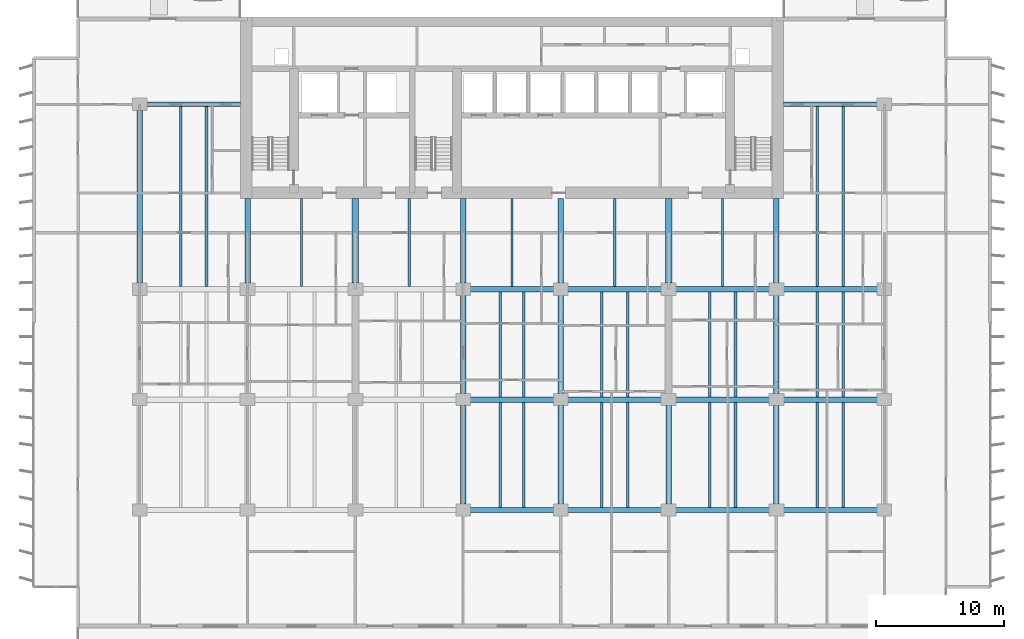
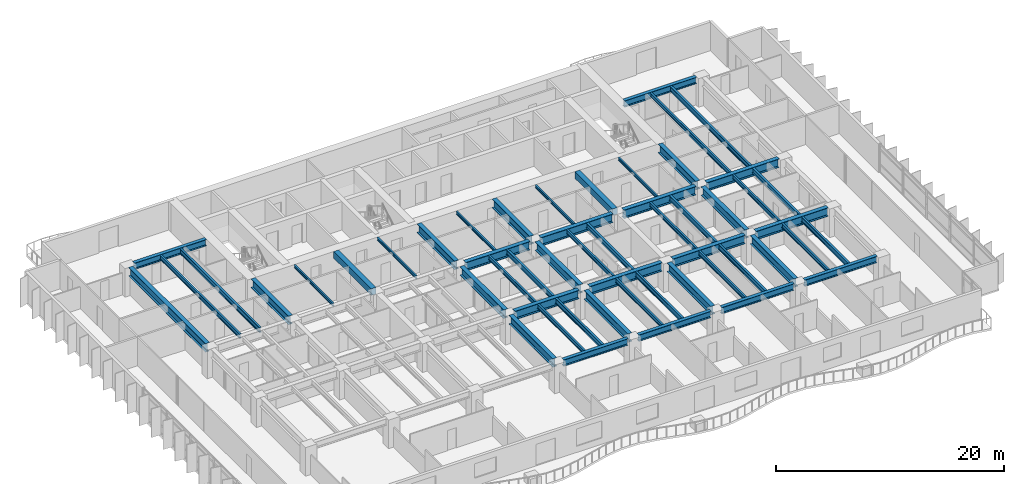
# One storey, part 3 of 17: 53 beams.
"""IFC4 building model written with IfcOpenShell, lengths in metres."""

from ifc_helpers import new_model, si_unit, direction, frame, origin, origin_2d, place, context, subcontext, project, spatial, rectangle, i_section, extrude, material, material_profile, profile_set, type_object, element, save


model = new_model("IFC4")

# Units and contexts
model_context = context("Model", 3, precision=1e-05, world=origin(), true_north=direction((0.0, 1.0)))
body_context = subcontext(model_context, "Body", "Model", "MODEL_VIEW")
ifc_project = project(units=[si_unit("LENGTHUNIT", "METRE"), si_unit("AREAUNIT", "SQUARE_METRE"), si_unit("VOLUMEUNIT", "CUBIC_METRE"), si_unit("PLANEANGLEUNIT", "RADIAN"), si_unit("MASSUNIT", "GRAM", prefix="KILO")], contexts=[model_context])

# Site, building, storey
site_placement = place(None, origin())
site = spatial("IfcSite", under=ifc_project, at=site_placement, CompositionType="ELEMENT")
building_placement = place(site_placement, origin())
building = spatial("IfcBuilding", under=site, at=building_placement, Name="Caelmar Bay Residences", CompositionType="ELEMENT")
storey_placement = place(building_placement, frame((0.0, 0.0, 59.699951171875)))
storey = spatial("IfcBuildingStorey", under=building, at=storey_placement, Name="L15", CompositionType="ELEMENT", Elevation=59.699951171875)

# Beams
ifc_material_1 = material(Name="Steel ASTM A992 Grade 50", Category="steel")
ifc_material_profile_1 = material_profile(ifc_material_1, i_section(OverallWidth=0.422119140625, OverallDepth=0.925048828125, WebThickness=0.021240234375, FlangeThickness=0.03662109375, FilletRadius=0.020263671875, at=origin_2d()), Name="W36X262")
ifc_profile_set_1 = profile_set([ifc_material_profile_1], Name="Steel ASTM A992 Grade 50")
beam_type_1 = type_object("IfcBeamType", Name="BM-GRD-W36X262", PredefinedType="BEAM", material=ifc_profile_set_1)
beam_1_placement = place(storey_placement, frame((35.639892578125, 20.800048828125, 2.587646484375), z_axis=(1.0, 0.0, 0.0), x_axis=(0.0, 1.0, 0.0)))
element("IfcBeam", 1, at=beam_1_placement, inside=storey, type_object=beam_type_1, Name="L15 East-West Girder Y=20.80 (35.1-42.7)", PredefinedType="BEAM", context=body_context, shape_type="SweptSolid", body=[
    extrude(i_section(OverallWidth=0.422119140625, OverallDepth=0.925048828125, WebThickness=0.021240234375, FlangeThickness=0.03662109375, FilletRadius=0.020263671875, at=origin_2d()), origin(), (0.0, 0.0, 1.0), 6.52001953125),
])
for number, where, z_axis, x_axis, name in (
    (2, (43.239990234375, 20.800048828125, 2.587646484375), (1.0, 0.0, 0.0), (0.0, 1.0, 0.0), "L15 East-West Girder Y=20.80 (42.7-51.1)"),
    (3, (51.639892578125, 20.800048828125, 2.587646484375), (1.0, 0.0, 0.0), (0.0, 1.0, 0.0), "L15 East-West Girder Y=20.80 (51.1-59.5)"),
    (4, (60.0400390625, 20.800048828125, 2.587646484375), (1.0, 0.0, 0.0), (0.0, 1.0, 0.0), "L15 East-West Girder Y=20.80 (59.5-67.9)"),
):
    element("IfcBeam", number, at=place(storey_placement, frame(where, z_axis=z_axis, x_axis=x_axis)), inside=storey, type_object=beam_type_1, Name=name, PredefinedType="BEAM", context=body_context, shape_type="SweptSolid", body=[
        extrude(i_section(OverallWidth=0.422119140625, OverallDepth=0.925048828125, WebThickness=0.021240234375, FlangeThickness=0.03662109375, FilletRadius=0.020263671875, at=origin_2d()), origin(), (0.0, 0.0, 1.0), 7.320068359375),
    ])
beam_2_placement = place(storey_placement, frame((35.639892578125, 29.39990234375, 2.587646484375), z_axis=(1.0, 0.0, 0.0), x_axis=(0.0, 1.0, 0.0)))
element("IfcBeam", 5, at=beam_2_placement, inside=storey, type_object=beam_type_1, Name="L15 East-West Girder Y=29.40 (35.1-42.7)", PredefinedType="BEAM", context=body_context, shape_type="SweptSolid", body=[
    extrude(i_section(OverallWidth=0.422119140625, OverallDepth=0.925048828125, WebThickness=0.021240234375, FlangeThickness=0.03662109375, FilletRadius=0.020263671875, at=origin_2d()), origin(), (0.0, 0.0, 1.0), 6.52001953125),
])
for number, where, z_axis, x_axis, name in (
    (6, (43.239990234375, 29.39990234375, 2.587646484375), (1.0, 0.0, 0.0), (0.0, 1.0, 0.0), "L15 East-West Girder Y=29.40 (42.7-51.1)"),
    (7, (51.639892578125, 29.39990234375, 2.587646484375), (1.0, 0.0, 0.0), (0.0, 1.0, 0.0), "L15 East-West Girder Y=29.40 (51.1-59.5)"),
    (8, (60.0400390625, 29.39990234375, 2.587646484375), (1.0, 0.0, 0.0), (0.0, 1.0, 0.0), "L15 East-West Girder Y=29.40 (59.5-67.9)"),
):
    element("IfcBeam", number, at=place(storey_placement, frame(where, z_axis=z_axis, x_axis=x_axis)), inside=storey, type_object=beam_type_1, Name=name, PredefinedType="BEAM", context=body_context, shape_type="SweptSolid", body=[
        extrude(i_section(OverallWidth=0.422119140625, OverallDepth=0.925048828125, WebThickness=0.021240234375, FlangeThickness=0.03662109375, FilletRadius=0.020263671875, at=origin_2d()), origin(), (0.0, 0.0, 1.0), 7.320068359375),
    ])
beam_3_placement = place(storey_placement, frame((9.89990234375, 29.864990234375, 2.587646484375), z_axis=(0.0, 1.0, 0.0), x_axis=(-1.0, 0.0, 0.0)))
element("IfcBeam", 9, at=beam_3_placement, inside=storey, type_object=beam_type_1, Name="L15 North-South Girder X=9.90 (29.4-43.8)", PredefinedType="BEAM", context=body_context, shape_type="SweptSolid", body=[
    extrude(i_section(OverallWidth=0.422119140625, OverallDepth=0.925048828125, WebThickness=0.021240234375, FlangeThickness=0.03662109375, FilletRadius=0.020263671875, at=origin_2d()), origin(), (0.0, 0.0, 1.0), 13.469970703125),
])
for number, where, z_axis, x_axis, name in (
    (10, (18.300048828125, 29.864990234375, 2.587646484375), (0.0, 1.0, 0.0), (-1.0, 0.0, 0.0), "L15 Core Tie Girder X=18.30"),
    (11, (35.10009765625, 29.864990234375, 2.587646484375), (0.0, 1.0, 0.0), (-1.0, 0.0, 0.0), "L15 Core Tie Girder X=35.10"),
):
    element("IfcBeam", number, at=place(storey_placement, frame(where, z_axis=z_axis, x_axis=x_axis)), inside=storey, type_object=beam_type_1, Name=name, PredefinedType="BEAM", context=body_context, shape_type="SweptSolid", body=[
        extrude(i_section(OverallWidth=0.422119140625, OverallDepth=0.925048828125, WebThickness=0.021240234375, FlangeThickness=0.03662109375, FilletRadius=0.020263671875, at=origin_2d()), origin(), (0.0, 0.0, 1.0), 6.5849609375),
    ])
beam_4_placement = place(storey_placement, frame((35.10009765625, 12.6650390625, 2.587646484375), z_axis=(0.0, 1.0, 0.0), x_axis=(-1.0, 0.0, 0.0)))
element("IfcBeam", 12, at=beam_4_placement, inside=storey, type_object=beam_type_1, Name="L15 North-South Girder X=35.10 (12.2-20.8)", PredefinedType="BEAM", context=body_context, shape_type="SweptSolid", body=[
    extrude(i_section(OverallWidth=0.422119140625, OverallDepth=0.925048828125, WebThickness=0.021240234375, FlangeThickness=0.03662109375, FilletRadius=0.020263671875, at=origin_2d()), origin(), (0.0, 0.0, 1.0), 7.669921875),
])
beam_5_placement = place(storey_placement, frame((35.10009765625, 21.264892578125, 2.587646484375), z_axis=(0.0, 1.0, 0.0), x_axis=(-1.0, 0.0, 0.0)))
element("IfcBeam", 13, at=beam_5_placement, inside=storey, type_object=beam_type_1, Name="L15 North-South Girder X=35.10 (20.8-29.4)", PredefinedType="BEAM", context=body_context, shape_type="SweptSolid", body=[
    extrude(i_section(OverallWidth=0.422119140625, OverallDepth=0.925048828125, WebThickness=0.021240234375, FlangeThickness=0.03662109375, FilletRadius=0.020263671875, at=origin_2d()), origin(), (0.0, 0.0, 1.0), 7.670166015625),
])
beam_6_placement = place(storey_placement, frame((42.699951171875, 29.864990234375, 2.587646484375), z_axis=(0.0, 1.0, 0.0), x_axis=(-1.0, 0.0, 0.0)))
element("IfcBeam", 14, at=beam_6_placement, inside=storey, type_object=beam_type_1, Name="L15 Core Tie Girder X=42.70", PredefinedType="BEAM", context=body_context, shape_type="SweptSolid", body=[
    extrude(i_section(OverallWidth=0.422119140625, OverallDepth=0.925048828125, WebThickness=0.021240234375, FlangeThickness=0.03662109375, FilletRadius=0.020263671875, at=origin_2d()), origin(), (0.0, 0.0, 1.0), 6.5849609375),
])
beam_7_placement = place(storey_placement, frame((42.699951171875, 12.6650390625, 2.587646484375), z_axis=(0.0, 1.0, 0.0), x_axis=(-1.0, 0.0, 0.0)))
element("IfcBeam", 15, at=beam_7_placement, inside=storey, type_object=beam_type_1, Name="L15 North-South Girder X=42.70 (12.2-20.8)", PredefinedType="BEAM", context=body_context, shape_type="SweptSolid", body=[
    extrude(i_section(OverallWidth=0.422119140625, OverallDepth=0.925048828125, WebThickness=0.021240234375, FlangeThickness=0.03662109375, FilletRadius=0.020263671875, at=origin_2d()), origin(), (0.0, 0.0, 1.0), 7.669921875),
])
beam_8_placement = place(storey_placement, frame((42.699951171875, 21.264892578125, 2.587646484375), z_axis=(0.0, 1.0, 0.0), x_axis=(-1.0, 0.0, 0.0)))
element("IfcBeam", 16, at=beam_8_placement, inside=storey, type_object=beam_type_1, Name="L15 North-South Girder X=42.70 (20.8-29.4)", PredefinedType="BEAM", context=body_context, shape_type="SweptSolid", body=[
    extrude(i_section(OverallWidth=0.422119140625, OverallDepth=0.925048828125, WebThickness=0.021240234375, FlangeThickness=0.03662109375, FilletRadius=0.020263671875, at=origin_2d()), origin(), (0.0, 0.0, 1.0), 7.670166015625),
])
beam_9_placement = place(storey_placement, frame((51.10009765625, 12.6650390625, 2.587646484375), z_axis=(0.0, 1.0, 0.0), x_axis=(-1.0, 0.0, 0.0)))
element("IfcBeam", 17, at=beam_9_placement, inside=storey, type_object=beam_type_1, Name="L15 North-South Girder X=51.10 (12.2-20.8)", PredefinedType="BEAM", context=body_context, shape_type="SweptSolid", body=[
    extrude(i_section(OverallWidth=0.422119140625, OverallDepth=0.925048828125, WebThickness=0.021240234375, FlangeThickness=0.03662109375, FilletRadius=0.020263671875, at=origin_2d()), origin(), (0.0, 0.0, 1.0), 7.669921875),
])
beam_10_placement = place(storey_placement, frame((59.5, 29.864990234375, 2.587646484375), z_axis=(0.0, 1.0, 0.0), x_axis=(-1.0, 0.0, 0.0)))
element("IfcBeam", 18, at=beam_10_placement, inside=storey, type_object=beam_type_1, Name="L15 Core Tie Girder X=59.50", PredefinedType="BEAM", context=body_context, shape_type="SweptSolid", body=[
    extrude(i_section(OverallWidth=0.422119140625, OverallDepth=0.925048828125, WebThickness=0.021240234375, FlangeThickness=0.03662109375, FilletRadius=0.020263671875, at=origin_2d()), origin(), (0.0, 0.0, 1.0), 6.5849609375),
])
beam_11_placement = place(storey_placement, frame((59.5, 12.6650390625, 2.587646484375), z_axis=(0.0, 1.0, 0.0), x_axis=(-1.0, 0.0, 0.0)))
element("IfcBeam", 19, at=beam_11_placement, inside=storey, type_object=beam_type_1, Name="L15 North-South Girder X=59.50 (12.2-20.8)", PredefinedType="BEAM", context=body_context, shape_type="SweptSolid", body=[
    extrude(i_section(OverallWidth=0.422119140625, OverallDepth=0.925048828125, WebThickness=0.021240234375, FlangeThickness=0.03662109375, FilletRadius=0.020263671875, at=origin_2d()), origin(), (0.0, 0.0, 1.0), 7.669921875),
])
beam_12_placement = place(storey_placement, frame((59.5, 21.264892578125, 2.587646484375), z_axis=(0.0, 1.0, 0.0), x_axis=(-1.0, 0.0, 0.0)))
element("IfcBeam", 20, at=beam_12_placement, inside=storey, type_object=beam_type_1, Name="L15 North-South Girder X=59.50 (20.8-29.4)", PredefinedType="BEAM", context=body_context, shape_type="SweptSolid", body=[
    extrude(i_section(OverallWidth=0.422119140625, OverallDepth=0.925048828125, WebThickness=0.021240234375, FlangeThickness=0.03662109375, FilletRadius=0.020263671875, at=origin_2d()), origin(), (0.0, 0.0, 1.0), 7.670166015625),
])
ifc_material_profile_2 = material_profile(ifc_material_1, i_section(OverallWidth=0.1650390625, OverallDepth=0.31005859375, WebThickness=0.005859375, FlangeThickness=0.009765625, FilletRadius=0.007568359375, at=origin_2d()), Name="W12X26")
ifc_profile_set_2 = profile_set([ifc_material_profile_2], Name="Steel ASTM A992 Grade 50")
beam_type_2 = type_object("IfcBeamType", Name="BM-JST-W12X26", PredefinedType="JOIST", material=ifc_profile_set_2)
for number, where, z_axis, x_axis, name in (
    (21, (22.5, 29.611083984375, 2.89501953125), (0.0, 1.0, 0.0), (-1.0, 0.0, 0.0), "L15 Core-Band Composite Joist 29"),
    (22, (30.89990234375, 29.611083984375, 2.89501953125), (0.0, 1.0, 0.0), (-1.0, 0.0, 0.0), "L15 Core-Band Composite Joist 30"),
    (23, (38.89990234375, 29.611083984375, 2.89501953125), (0.0, 1.0, 0.0), (-1.0, 0.0, 0.0), "L15 Core-Band Composite Joist 31"),
    (24, (46.89990234375, 29.611083984375, 2.89501953125), (0.0, 1.0, 0.0), (-1.0, 0.0, 0.0), "L15 Core-Band Composite Joist 32"),
    (25, (55.300048828125, 29.611083984375, 2.89501953125), (0.0, 1.0, 0.0), (-1.0, 0.0, 0.0), "L15 Core-Band Composite Joist 33"),
):
    element("IfcBeam", number, at=place(storey_placement, frame(where, z_axis=z_axis, x_axis=x_axis)), inside=storey, type_object=beam_type_2, Name=name, PredefinedType="JOIST", context=body_context, shape_type="SweptSolid", body=[
        extrude(i_section(OverallWidth=0.1650390625, OverallDepth=0.31005859375, WebThickness=0.005859375, FlangeThickness=0.009765625, FilletRadius=0.007568359375, at=origin_2d()), origin(), (0.0, 0.0, 1.0), 6.8388671875),
    ])
ifc_material_profile_3 = material_profile(ifc_material_1, i_section(OverallWidth=0.19091796875, OverallDepth=0.45703125, WebThickness=0.009033203125, FlangeThickness=0.014404296875, FilletRadius=0.01025390625, at=origin_2d()), Name="W18X50")
ifc_profile_set_3 = profile_set([ifc_material_profile_3], Name="Steel ASTM A992 Grade 50")
beam_type_3 = type_object("IfcBeamType", Name="BM-JST-W18X50", PredefinedType="JOIST", material=ifc_profile_set_3)
for number, where, z_axis, x_axis, name in (
    (26, (37.988037109375, 12.3779296875, 2.821533203125), (0.0, 1.0, 0.0), (-1.0, 0.0, 0.0), "L15 Composite Floor Joist 7"),
    (27, (45.89208984375, 12.3779296875, 2.821533203125), (0.0, 1.0, 0.0), (-1.0, 0.0, 0.0), "L15 Composite Floor Joist 9"),
    (28, (54.2919921875, 12.3779296875, 2.821533203125), (0.0, 1.0, 0.0), (-1.0, 0.0, 0.0), "L15 Composite Floor Joist 11"),
    (29, (62.69189453125, 12.3779296875, 2.821533203125), (0.0, 1.0, 0.0), (-1.0, 0.0, 0.0), "L15 Composite Floor Joist 13"),
):
    element("IfcBeam", number, at=place(storey_placement, frame(where, z_axis=z_axis, x_axis=x_axis)), inside=storey, type_object=beam_type_3, Name=name, PredefinedType="JOIST", context=body_context, shape_type="SweptSolid", body=[
        extrude(i_section(OverallWidth=0.19091796875, OverallDepth=0.45703125, WebThickness=0.009033203125, FlangeThickness=0.014404296875, FilletRadius=0.01025390625, at=origin_2d()), origin(), (0.0, 0.0, 1.0), 8.211181640625),
    ])
for number, where, z_axis, x_axis, name in (
    (30, (37.988037109375, 21.010986328125, 2.821533203125), (0.0, 1.0, 0.0), (-1.0, 0.0, 0.0), "L15 Composite Floor Joist 21"),
    (31, (45.89208984375, 21.010986328125, 2.821533203125), (0.0, 1.0, 0.0), (-1.0, 0.0, 0.0), "L15 Composite Floor Joist 23"),
    (32, (54.2919921875, 21.010986328125, 2.821533203125), (0.0, 1.0, 0.0), (-1.0, 0.0, 0.0), "L15 Composite Floor Joist 25"),
    (33, (62.69189453125, 21.010986328125, 2.821533203125), (0.0, 1.0, 0.0), (-1.0, 0.0, 0.0), "L15 Composite Floor Joist 27"),
):
    element("IfcBeam", number, at=place(storey_placement, frame(where, z_axis=z_axis, x_axis=x_axis)), inside=storey, type_object=beam_type_3, Name=name, PredefinedType="JOIST", context=body_context, shape_type="SweptSolid", body=[
        extrude(i_section(OverallWidth=0.19091796875, OverallDepth=0.45703125, WebThickness=0.009033203125, FlangeThickness=0.014404296875, FilletRadius=0.01025390625, at=origin_2d()), origin(), (0.0, 0.0, 1.0), 8.177978515625),
    ])
for number, where, z_axis, x_axis, name in (
    (34, (13.092041015625, 29.611083984375, 2.821533203125), (0.0, 1.0, 0.0), (-1.0, 0.0, 0.0), "L15 Composite Floor Joist 34"),
    (35, (62.69189453125, 29.611083984375, 2.821533203125), (0.0, 1.0, 0.0), (-1.0, 0.0, 0.0), "L15 Composite Floor Joist 36"),
):
    element("IfcBeam", number, at=place(storey_placement, frame(where, z_axis=z_axis, x_axis=x_axis)), inside=storey, type_object=beam_type_3, Name=name, PredefinedType="JOIST", context=body_context, shape_type="SweptSolid", body=[
        extrude(i_section(OverallWidth=0.19091796875, OverallDepth=0.45703125, WebThickness=0.009033203125, FlangeThickness=0.014404296875, FilletRadius=0.01025390625, at=origin_2d()), origin(), (0.0, 0.0, 1.0), 14.010986328125),
    ])
ifc_material_profile_4 = material_profile(ifc_material_1, i_section(OverallWidth=0.214111328125, OverallDepth=0.549072265625, WebThickness=0.0146484375, FlangeThickness=0.023681640625, FilletRadius=0.0126953125, at=origin_2d()), Name="W21X93")
ifc_profile_set_4 = profile_set([ifc_material_profile_4], Name="Steel ASTM A992 Grade 50")
beam_type_4 = type_object("IfcBeamType", Name="BM-JST-W21X93", PredefinedType="JOIST", material=ifc_profile_set_4)
for number, where, z_axis, x_axis, name in (
    (36, (39.81201171875, 12.3779296875, 2.775634765625), (0.0, 1.0, 0.0), (-1.0, 0.0, 0.0), "L15 Composite Floor Joist 8"),
    (37, (47.907958984375, 12.3779296875, 2.775634765625), (0.0, 1.0, 0.0), (-1.0, 0.0, 0.0), "L15 Composite Floor Joist 10"),
    (38, (56.30810546875, 12.3779296875, 2.775634765625), (0.0, 1.0, 0.0), (-1.0, 0.0, 0.0), "L15 Composite Floor Joist 12"),
    (39, (64.7080078125, 12.3779296875, 2.775634765625), (0.0, 1.0, 0.0), (-1.0, 0.0, 0.0), "L15 Composite Floor Joist 14"),
):
    element("IfcBeam", number, at=place(storey_placement, frame(where, z_axis=z_axis, x_axis=x_axis)), inside=storey, type_object=beam_type_4, Name=name, PredefinedType="JOIST", context=body_context, shape_type="SweptSolid", body=[
        extrude(i_section(OverallWidth=0.214111328125, OverallDepth=0.549072265625, WebThickness=0.0146484375, FlangeThickness=0.023681640625, FilletRadius=0.0126953125, at=origin_2d()), origin(), (0.0, 0.0, 1.0), 8.211181640625),
    ])
for number, where, z_axis, x_axis, name in (
    (40, (39.81201171875, 21.010986328125, 2.775634765625), (0.0, 1.0, 0.0), (-1.0, 0.0, 0.0), "L15 Composite Floor Joist 22"),
    (41, (47.907958984375, 21.010986328125, 2.775634765625), (0.0, 1.0, 0.0), (-1.0, 0.0, 0.0), "L15 Composite Floor Joist 24"),
    (42, (56.30810546875, 21.010986328125, 2.775634765625), (0.0, 1.0, 0.0), (-1.0, 0.0, 0.0), "L15 Composite Floor Joist 26"),
    (43, (64.7080078125, 21.010986328125, 2.775634765625), (0.0, 1.0, 0.0), (-1.0, 0.0, 0.0), "L15 Composite Floor Joist 28"),
):
    element("IfcBeam", number, at=place(storey_placement, frame(where, z_axis=z_axis, x_axis=x_axis)), inside=storey, type_object=beam_type_4, Name=name, PredefinedType="JOIST", context=body_context, shape_type="SweptSolid", body=[
        extrude(i_section(OverallWidth=0.214111328125, OverallDepth=0.549072265625, WebThickness=0.0146484375, FlangeThickness=0.023681640625, FilletRadius=0.0126953125, at=origin_2d()), origin(), (0.0, 0.0, 1.0), 8.177978515625),
    ])
for number, where, z_axis, x_axis, name in (
    (44, (15.10791015625, 29.611083984375, 2.775634765625), (0.0, 1.0, 0.0), (-1.0, 0.0, 0.0), "L15 Composite Floor Joist 35"),
    (45, (64.7080078125, 29.611083984375, 2.775634765625), (0.0, 1.0, 0.0), (-1.0, 0.0, 0.0), "L15 Composite Floor Joist 37"),
):
    element("IfcBeam", number, at=place(storey_placement, frame(where, z_axis=z_axis, x_axis=x_axis)), inside=storey, type_object=beam_type_4, Name=name, PredefinedType="JOIST", context=body_context, shape_type="SweptSolid", body=[
        extrude(i_section(OverallWidth=0.214111328125, OverallDepth=0.549072265625, WebThickness=0.0146484375, FlangeThickness=0.023681640625, FilletRadius=0.0126953125, at=origin_2d()), origin(), (0.0, 0.0, 1.0), 14.010986328125),
    ])
ifc_material_2 = material(Name="Concrete f'c 55 MPa (8,000 psi)", Category="concrete")
ifc_material_profile_5 = material_profile(ifc_material_2, rectangle(XDim=0.5, YDim=0.699951171875, at=origin_2d()), Name="RC-BM-500X700")
ifc_profile_set_5 = profile_set([ifc_material_profile_5], Name="Concrete f'c 55 MPa (8,000 psi)")
beam_type_5 = type_object("IfcBeamType", Name="BM-RC-500X700", PredefinedType="LINTEL", material=ifc_profile_set_5)
for number, where, z_axis, x_axis, name in (
    (46, (26.699951171875, 29.864990234375, 2.699951171875), (0.0, 1.0, 0.0), (-1.0, 0.0, 0.0), "L15 Shear-Wall Corridor Coupling Lintel W5"),
    (47, (51.10009765625, 29.864990234375, 2.699951171875), (0.0, 1.0, 0.0), (-1.0, 0.0, 0.0), "L15 Shear-Wall Corridor Coupling Lintel E8"),
):
    element("IfcBeam", number, at=place(storey_placement, frame(where, z_axis=z_axis, x_axis=x_axis)), inside=storey, type_object=beam_type_5, Name=name, PredefinedType="LINTEL", context=body_context, shape_type="SweptSolid", body=[
        extrude(rectangle(XDim=0.5, YDim=0.699951171875, at=origin_2d()), origin(), (0.0, 0.0, 1.0), 6.5849609375),
    ])
ifc_material_profile_6 = material_profile(ifc_material_1, i_section(OverallWidth=0.35595703125, OverallDepth=0.696044921875, WebThickness=0.015380859375, FlangeThickness=0.02490234375, FilletRadius=0.01513671875, at=origin_2d()), Name="W27X146")
ifc_profile_set_6 = profile_set([ifc_material_profile_6], Name="Steel ASTM A992 Grade 50")
beam_type_6 = type_object("IfcBeamType", Name="BM-SPN-W27X146", PredefinedType="SPANDREL", material=ifc_profile_set_6)
beam_13_placement = place(storey_placement, frame((35.639892578125, 12.199951171875, 2.7021484375), z_axis=(1.0, 0.0, 0.0), x_axis=(0.0, 1.0, 0.0)))
element("IfcBeam", 48, at=beam_13_placement, inside=storey, type_object=beam_type_6, Name="L15 East-West Girder Y=12.20 (35.1-42.7)", PredefinedType="SPANDREL", context=body_context, shape_type="SweptSolid", body=[
    extrude(i_section(OverallWidth=0.35595703125, OverallDepth=0.696044921875, WebThickness=0.015380859375, FlangeThickness=0.02490234375, FilletRadius=0.01513671875, at=origin_2d()), origin(), (0.0, 0.0, 1.0), 6.52001953125),
])
for number, where, z_axis, x_axis, name in (
    (49, (43.239990234375, 12.199951171875, 2.7021484375), (1.0, 0.0, 0.0), (0.0, 1.0, 0.0), "L15 East-West Girder Y=12.20 (42.7-51.1)"),
    (50, (51.639892578125, 12.199951171875, 2.7021484375), (1.0, 0.0, 0.0), (0.0, 1.0, 0.0), "L15 East-West Girder Y=12.20 (51.1-59.5)"),
    (51, (60.0400390625, 12.199951171875, 2.7021484375), (1.0, 0.0, 0.0), (0.0, 1.0, 0.0), "L15 East-West Girder Y=12.20 (59.5-67.9)"),
):
    element("IfcBeam", number, at=place(storey_placement, frame(where, z_axis=z_axis, x_axis=x_axis)), inside=storey, type_object=beam_type_6, Name=name, PredefinedType="SPANDREL", context=body_context, shape_type="SweptSolid", body=[
        extrude(i_section(OverallWidth=0.35595703125, OverallDepth=0.696044921875, WebThickness=0.015380859375, FlangeThickness=0.02490234375, FilletRadius=0.01513671875, at=origin_2d()), origin(), (0.0, 0.0, 1.0), 7.320068359375),
    ])
for number, where, z_axis, x_axis, name in (
    (52, (10.43994140625, 43.800048828125, 2.7021484375), (1.0, 0.0, 0.0), (0.0, 1.0, 0.0), "L15 North-West Wing Core Tie Girder"),
    (53, (60.050048828125, 43.800048828125, 2.7021484375), (1.0, 0.0, 0.0), (0.0, 1.0, 0.0), "L15 North-East Wing Core Tie Girder"),
):
    element("IfcBeam", number, at=place(storey_placement, frame(where, z_axis=z_axis, x_axis=x_axis)), inside=storey, type_object=beam_type_6, Name=name, PredefinedType="SPANDREL", context=body_context, shape_type="SweptSolid", body=[
        extrude(i_section(OverallWidth=0.35595703125, OverallDepth=0.696044921875, WebThickness=0.015380859375, FlangeThickness=0.02490234375, FilletRadius=0.01513671875, at=origin_2d()), origin(), (0.0, 0.0, 1.0), 7.31005859375),
    ])

save(model, "model.ifc")
